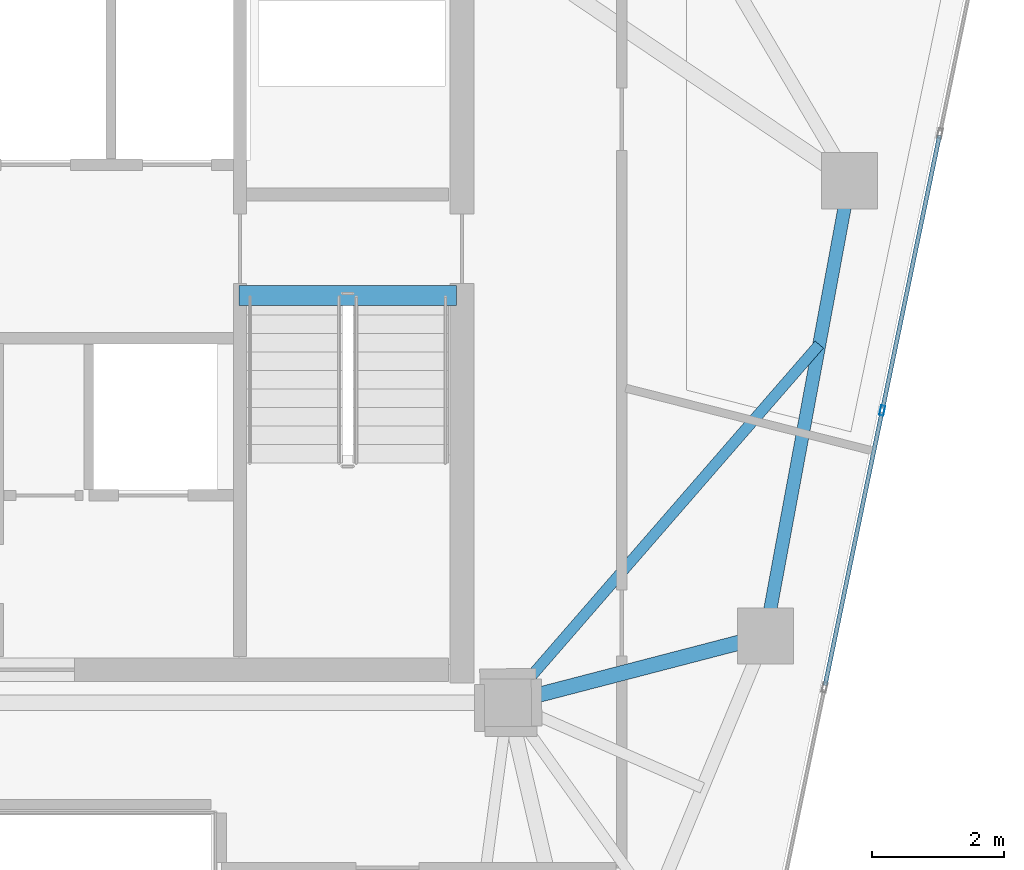
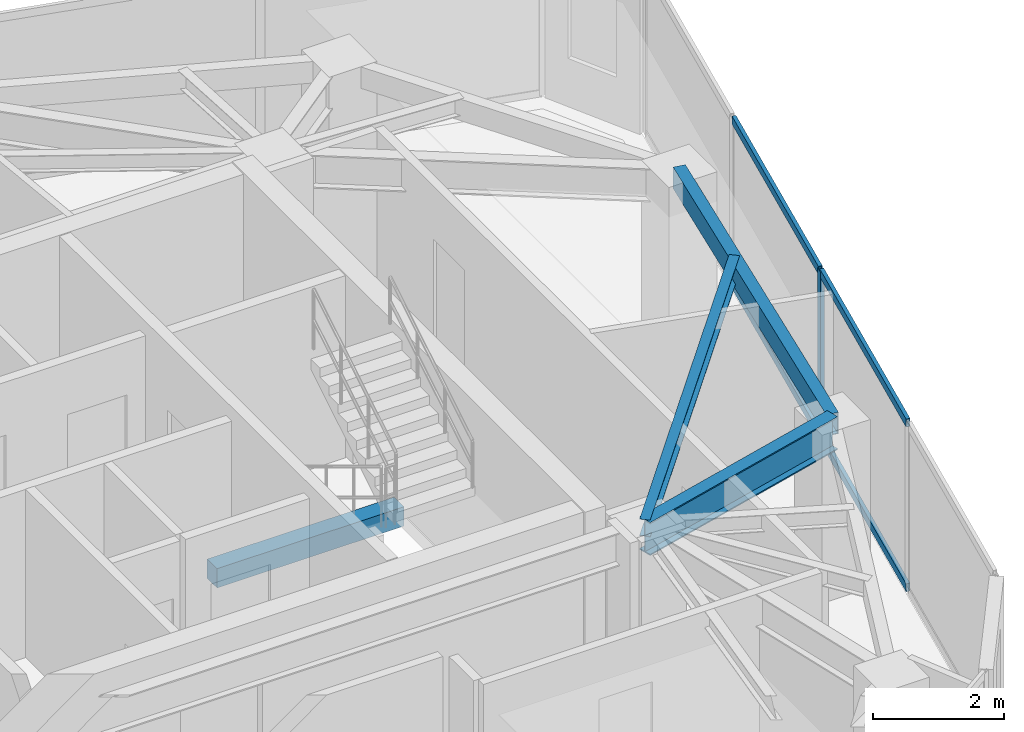
# One storey, part 12 of 20: 5 members, 4 beams, 1 element without a shape of its own.
"""IFC4 building model written with IfcOpenShell, lengths in metres."""

from ifc_helpers import new_model, si_unit, direction, frame, origin, origin_2d, place, context, subcontext, project, spatial, rectangle, hollow_rectangle, i_section, extrude, source, transform, mapped, material, layer, layer_set, material_profile, profile_set, type_object, type_shapes, element, aggregate, save


model = new_model("IFC4")

# Units and contexts
model_context = context("Model", 3, precision=1e-05, world=origin(), true_north=direction((0.0, 1.0)))
body_context = subcontext(model_context, "Body", "Model", "MODEL_VIEW")
ifc_project = project(units=[si_unit("LENGTHUNIT", "METRE"), si_unit("AREAUNIT", "SQUARE_METRE"), si_unit("VOLUMEUNIT", "CUBIC_METRE"), si_unit("PLANEANGLEUNIT", "RADIAN"), si_unit("MASSUNIT", "GRAM", prefix="KILO")], contexts=[model_context])

# Site, building, storey
site_placement = place(None, origin())
site = spatial("IfcSite", under=ifc_project, at=site_placement, CompositionType="ELEMENT")
building_placement = place(site_placement, origin())
building = spatial("IfcBuilding", under=site, at=building_placement, Name="Talar Marvaseh", CompositionType="ELEMENT")
storey_placement = place(building_placement, frame((0.0, 0.0, 244.199951171875)))
storey = spatial("IfcBuildingStorey", under=building, at=storey_placement, Name="L64", CompositionType="ELEMENT", Elevation=244.199951171875)

# Beams
ifc_material_1 = material(Name="Concrete C40/50", Category="concrete")
ifc_material_profile_1 = material_profile(ifc_material_1, rectangle(XDim=0.300048828125, YDim=0.360107421875, at=origin_2d()), Name="RC300x360")
ifc_profile_set_1 = profile_set([ifc_material_profile_1], Name="Concrete C40/50")
beam_type_1 = type_object("IfcBeamType", Name="Concrete Stair Landing Trimmer Beam RC300x360", PredefinedType="SPANDREL", material=ifc_profile_set_1)
beam_1_placement = place(storey_placement, frame((29.219970703125, 31.669921875, -0.179931640625), z_axis=(1.0, 0.0, 0.0), x_axis=(0.0, 1.0, 0.0)))
element("IfcBeam", 1, at=beam_1_placement, inside=storey, type_object=beam_type_1, Name="L64 ST-2 Stair Nosing Trimmer Beam", PredefinedType="SPANDREL", context=body_context, shape_type="SweptSolid", body=[
    extrude(rectangle(XDim=0.300048828125, YDim=0.360107421875, at=origin_2d()), origin(), (0.0, 0.0, 1.0), 3.300048828125),
])
ifc_material_2 = material(Name="Steel S355", Category="steel")
ifc_material_profile_2 = material_profile(ifc_material_2, hollow_rectangle(XDim=0.199951171875, YDim=0.39990234375, WallThickness=0.013916015625, at=origin_2d()), Name="RHS400x200x14")
ifc_profile_set_2 = profile_set([ifc_material_profile_2], Name="Steel S355")
beam_type_2 = type_object("IfcBeamType", Name="Zone 3 Perimeter Spandrel Beam RHS400x200x14", PredefinedType="SPANDREL", material=ifc_profile_set_2)
beam_2_placement = place(storey_placement, frame((38.470947265625, 33.406005859375, 2.93994140625), z_axis=(-0.181759950929, -0.983342931148, 0.0), x_axis=(0.983342931148, -0.181759950929, 0.0)))
element("IfcBeam", 2, at=beam_2_placement, inside=storey, type_object=beam_type_2, Name="L64 Zone 3 Perimeter Spandrel Beam RHS400x200x14", PredefinedType="SPANDREL", context=body_context, shape_type="SweptSolid", body=[
    extrude(hollow_rectangle(XDim=0.199951171875, YDim=0.39990234375, WallThickness=0.013916015625, at=origin_2d()), origin(), (0.0, 0.0, 1.0), 7.0087890625),
])
ifc_material_profile_3 = material_profile(ifc_material_2, i_section(OverallWidth=0.166015625, OverallDepth=0.31298828125, WebThickness=0.006591796875, FlangeThickness=0.01123046875, at=origin_2d()), Name="W310x45")
ifc_profile_set_3 = profile_set([ifc_material_profile_3], Name="Steel S355")
beam_type_3 = type_object("IfcBeamType", Name="Zone 3 Secondary Floor Joist W310x45", PredefinedType="JOIST", material=ifc_profile_set_3)
beam_3_placement = place(storey_placement, frame((38.012451171875, 30.9248046875, 2.983642578125), z_axis=(-0.655796743858, -0.754937501218, 0.0), x_axis=(0.754937501218, -0.655796743858, 0.0)))
element("IfcBeam", 3, at=beam_3_placement, inside=storey, type_object=beam_type_3, Name="L64 Zone 3 Secondary Floor Joist W310x45", PredefinedType="JOIST", context=body_context, shape_type="SweptSolid", body=[
    extrude(i_section(OverallWidth=0.166015625, OverallDepth=0.31298828125, WebThickness=0.006591796875, FlangeThickness=0.01123046875, at=origin_2d()), origin(), (0.0, 0.0, 1.0), 7.185791015625),
])
ifc_material_profile_4 = material_profile(ifc_material_2, i_section(OverallWidth=0.22998046875, OverallDepth=0.616943359375, WebThickness=0.01318359375, FlangeThickness=0.022216796875, at=origin_2d()), Name="W610x140")
ifc_profile_set_4 = profile_set([ifc_material_profile_4], Name="Steel S355")
beam_type_4 = type_object("IfcBeamType", Name="Zone 4 Radial Floor Girder W610x140", PredefinedType="BEAM", material=ifc_profile_set_4)
beam_4_placement = place(storey_placement, frame((37.197021484375, 26.513916015625, 2.83154296875), z_axis=(-0.967779967746, -0.251797406719, 0.0), x_axis=(0.251797406719, -0.967779967746, 0.0)))
element("IfcBeam", 4, at=beam_4_placement, inside=storey, type_object=beam_type_4, Name="L64 Zone 4 Radial Floor Girder W610x140", PredefinedType="BEAM", context=body_context, shape_type="SweptSolid", body=[
    extrude(i_section(OverallWidth=0.22998046875, OverallDepth=0.616943359375, WebThickness=0.01318359375, FlangeThickness=0.022216796875, at=origin_2d()), origin(), (0.0, 0.0, 1.0), 4.026611328125),
])

# Curtain wall, members
ifc_material_3 = material(Name="Architectural Aluminium", Category="aluminium")
ifc_layer = layer(ifc_material_3, 0.179931640625)
ifc_layer_set = layer_set([ifc_layer], Name="Architectural Aluminium")
curtain_wall_type = type_object("IfcCurtainWallType", Name="Unitised High-Wind Sky Curtain Wall Z4", PredefinedType="NOTDEFINED", material=ifc_layer_set)
curtain_wall_placement = place(storey_placement, origin())
curtain_wall = element("IfcCurtainWall", 5, at=curtain_wall_placement, inside=storey, type_object=curtain_wall_type, Name="L64 Unitised High-Wind Sky Curtain Wall Z4", PredefinedType="NOTDEFINED")
ifc_material_profile_5 = material_profile(ifc_material_3, hollow_rectangle(XDim=0.06494140625, YDim=0.14990234375, WallThickness=0.00390625, at=origin_2d()), Name="RHS150x65x4")
ifc_profile_set_5 = profile_set([ifc_material_profile_5], Name="Architectural Aluminium")
member_type_1 = type_object("IfcMemberType", Name="Unitised Curtain Wall Slim Transom RHS150x65x4", PredefinedType="USERDEFINED", material=ifc_profile_set_5)
shared_shape_1 = source(origin(), body_context, "Body", "SweptSolid", [
    extrude(hollow_rectangle(XDim=0.06494140625, YDim=0.14990234375, WallThickness=0.00390625, at=origin_2d()), origin(), (0.0, 0.0, 1.0), 4.22119140625),
])
type_shapes(member_type_1, [shared_shape_1])
member_1_placement = place(storey_placement, frame((39.83349609375, 34.09228515625, 0.032470703125), z_axis=(-0.203817983665, -0.979008799518, 0.0), x_axis=(0.979008799518, -0.203817983665, 0.0)))
member_1 = element("IfcMember", 6, at=member_1_placement, type_object=member_type_1, Name="CW-Z4 transom 2.1", ObjectType="TRANSOM", PredefinedType="USERDEFINED", context=body_context, shape_type="MappedRepresentation", body=[
    mapped(shared_shape_1, transform((0.0, 0.0, 0.0), x_axis=(1.0, 0.0, 0.0), y_axis=(0.0, 1.0, 0.0), z_axis=(0.0, 0.0, 1.0), scale=1.0)),
])
member_2_placement = place(storey_placement, frame((39.83349609375, 34.09228515625, 3.107666015625), z_axis=(-0.203817983665, -0.979008799518, 0.0), x_axis=(0.979008799518, -0.203817983665, 0.0)))
member_2 = element("IfcMember", 7, at=member_2_placement, type_object=member_type_1, Name="CW-Z4 transom 2.2", ObjectType="TRANSOM", PredefinedType="USERDEFINED", context=body_context, shape_type="MappedRepresentation", body=[
    mapped(shared_shape_1, transform((0.0, 0.0, 0.0), x_axis=(1.0, 0.0, 0.0), y_axis=(0.0, 1.0, 0.0), z_axis=(0.0, 0.0, 1.0), scale=1.0)),
])
member_3_placement = place(storey_placement, frame((38.9599609375, 29.89599609375, 0.032470703125), z_axis=(-0.203817983665, -0.979008799518, 0.0), x_axis=(0.979008799518, -0.203817983665, 0.0)))
member_3 = element("IfcMember", 8, at=member_3_placement, type_object=member_type_1, Name="CW-Z4 transom 3.1", ObjectType="TRANSOM", PredefinedType="USERDEFINED", context=body_context, shape_type="MappedRepresentation", body=[
    mapped(shared_shape_1, transform((0.0, 0.0, 0.0), x_axis=(1.0, 0.0, 0.0), y_axis=(0.0, 1.0, 0.0), z_axis=(0.0, 0.0, 1.0), scale=1.0)),
])
member_4_placement = place(storey_placement, frame((38.9599609375, 29.89599609375, 3.107666015625), z_axis=(-0.203817983665, -0.979008799518, 0.0), x_axis=(0.979008799518, -0.203817983665, 0.0)))
member_4 = element("IfcMember", 9, at=member_4_placement, type_object=member_type_1, Name="CW-Z4 transom 3.2", ObjectType="TRANSOM", PredefinedType="USERDEFINED", context=body_context, shape_type="MappedRepresentation", body=[
    mapped(shared_shape_1, transform((0.0, 0.0, 0.0), x_axis=(1.0, 0.0, 0.0), y_axis=(0.0, 1.0, 0.0), z_axis=(0.0, 0.0, 1.0), scale=1.0)),
])
ifc_material_profile_6 = material_profile(ifc_material_3, hollow_rectangle(XDim=0.06494140625, YDim=0.14990234375, WallThickness=0.00390625, at=origin_2d()), Name="RHS150x65x4")
ifc_profile_set_6 = profile_set([ifc_material_profile_6], Name="Architectural Aluminium")
member_type_2 = type_object("IfcMemberType", Name="Unitised Curtain Wall Slim Mullion RHS150x65x4", PredefinedType="MULLION", material=ifc_profile_set_6)
shared_shape_2 = source(origin(), body_context, "Body", "SweptSolid", [
    extrude(hollow_rectangle(XDim=0.06494140625, YDim=0.14990234375, WallThickness=0.00390625, at=origin_2d()), origin(), (0.0, 0.0, 1.0), 3.14013671875),
])
type_shapes(member_type_2, [shared_shape_2])
member_5_placement = place(storey_placement, frame((38.966552734375, 29.927734375, 0.0), z_axis=(0.0, 0.0, 1.0), x_axis=(0.979014373076, -0.203791210093, 0.0)))
member_5 = element("IfcMember", 10, at=member_5_placement, type_object=member_type_2, Name="CW-Z4 mullion 3", PredefinedType="MULLION", context=body_context, shape_type="MappedRepresentation", body=[
    mapped(shared_shape_2, transform((0.0, 0.0, 0.0), x_axis=(1.0, 0.0, 0.0), y_axis=(0.0, 1.0, 0.0), z_axis=(0.0, 0.0, 1.0), scale=1.0)),
])
aggregate(curtain_wall, [member_5, member_1, member_2, member_3, member_4])

save(model, "model.ifc")
